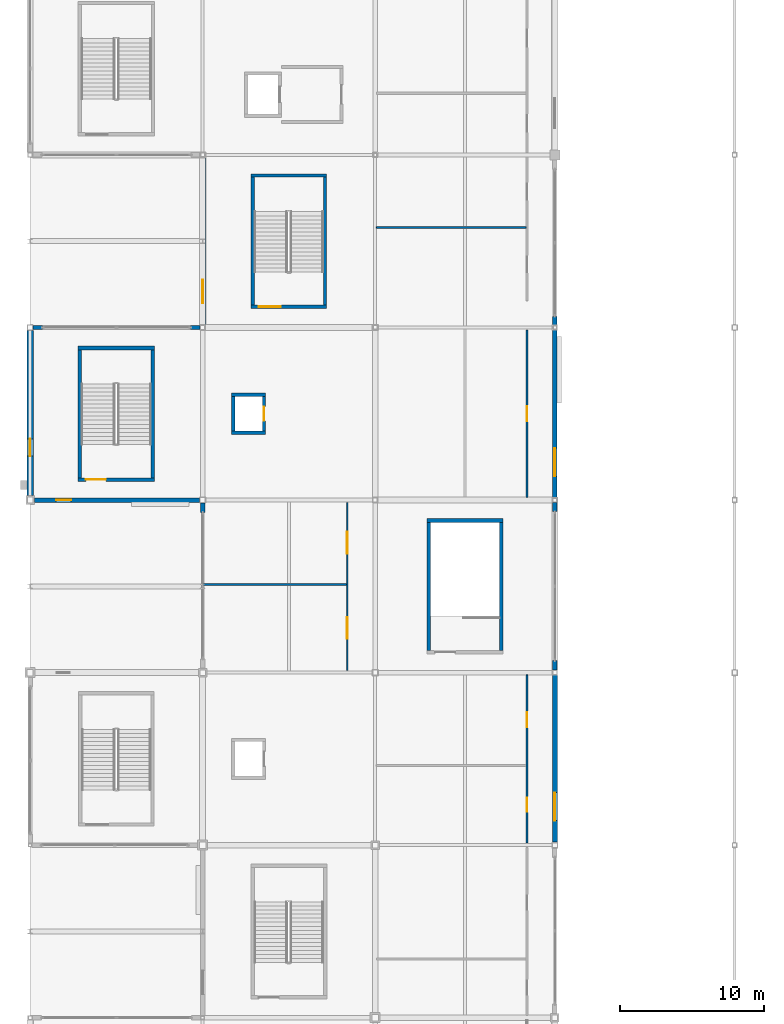
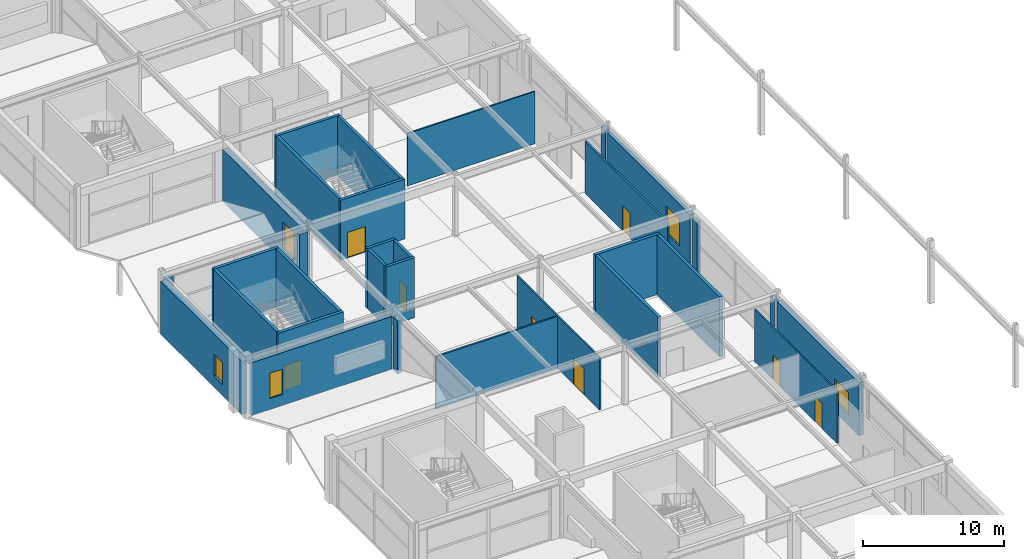
# One storey, part 74 of 105: 31 walls, 8 doors, 5 windows, 13 openings.
"""IFC4 building model written with IfcOpenShell, lengths in metres."""

from ifc_helpers import new_model, si_unit, direction, frame, frame_2d, origin, place, context, subcontext, project, spatial, rectangle, extrude, material, layer, layer_set, type_object, element, fill, save


model = new_model("IFC4")

# Units and contexts
model_context = context("Model", 3, precision=1e-05, world=origin(), true_north=direction((0.0, 1.0)))
body_context = subcontext(model_context, "Body", "Model", "MODEL_VIEW")
ifc_project = project(units=[si_unit("LENGTHUNIT", "METRE"), si_unit("AREAUNIT", "SQUARE_METRE"), si_unit("VOLUMEUNIT", "CUBIC_METRE"), si_unit("PLANEANGLEUNIT", "RADIAN"), si_unit("MASSUNIT", "GRAM", prefix="KILO")], contexts=[model_context])

# Site, building, storey
site_placement = place(None, origin())
site = spatial("IfcSite", under=ifc_project, at=site_placement, CompositionType="ELEMENT")
building_placement = place(site_placement, origin())
building = spatial("IfcBuilding", under=site, at=building_placement, Name="Kazenohara Klinker Stadium", CompositionType="ELEMENT")
storey_placement = place(building_placement, frame((0.0, 0.0, 20.39990234375)))
storey = spatial("IfcBuildingStorey", under=building, at=storey_placement, Name="L04", CompositionType="ELEMENT", Elevation=20.39990234375)

# Wall, opening, door
ifc_material_1 = material(Name="Concrete C40/50", Category="concrete")
ifc_layer_1 = layer(ifc_material_1, 0.22998046875)
ifc_layer_set_1 = layer_set([ifc_layer_1], Name="Concrete C40/50")
wall_type_1 = type_object("IfcWallType", Name="WAL-CORE-230", PredefinedType="SHEAR", material=ifc_layer_set_1)
wall_1_placement = place(storey_placement, frame((15.3701171875, 97.43505859375, 0.0), z_axis=(0.0, 0.0, 1.0), x_axis=(1.0, 0.0, 0.0)))
wall_1 = element("IfcWall", 1, at=wall_1_placement, inside=storey, type_object=wall_type_1, Name="Stairwell shear wall ST14 L04 South", PredefinedType="SHEAR", context=body_context, shape_type="SweptSolid", body=[
    extrude(rectangle(XDim=5.259765625, YDim=0.22998046875, at=frame_2d((2.6298828125, 0.0))), origin(), (0.0, 0.0, 1.0), 5.18017578125),
])
opening_1_placement = place(wall_1_placement, frame((0.550048828125, 0.0, 0.0)))
opening_1 = element("IfcOpeningElement", 2, at=opening_1_placement, cuts=wall_1, Name="Opening SD02", PredefinedType="OPENING", context=body_context, shape_type="SweptSolid", body=[
    extrude(rectangle(XDim=1.5, YDim=2.199951171875, at=frame_2d((0.75, 1.10009765625))), frame((0.0, 0.125, 0.0), z_axis=(0.0, -1.0, 0.0), x_axis=(1.0, 0.0, 0.0)), (0.0, 0.0, 1.0), 0.25),
])
ifc_material_2 = material(Name="Flush painted steel fire door leaf", Category="steel")
door_type_1 = type_object("IfcDoorType", Name="DR-STR-1500x2200", OperationType="NOTDEFINED", PredefinedType="DOOR", material=ifc_material_2)
door_1_placement = place(opening_1_placement, origin())
door_1 = element("IfcDoor", 3, at=door_1_placement, inside=storey, type_object=door_type_1, Name="Escape stairwell fire door ST14-L04", OperationType="SINGLE_SWING_LEFT", OverallHeight=2.199951171875, OverallWidth=1.5, PredefinedType="DOOR", context=body_context, shape_type="SweptSolid", body=[
    extrude(rectangle(XDim=1.5, YDim=2.199951171875, at=frame_2d((0.75, 1.10009765625))), frame((0.0, 0.02490234375, 0.0), z_axis=(0.0, -1.0, 0.0), x_axis=(1.0, 0.0, 0.0)), (0.0, 0.0, 1.0), 0.050048828125),
])
fill(opening_1, door_1)

# Walls
wall_2_placement = place(storey_placement, frame((15.3701171875, 106.56494140625, 0.0), z_axis=(0.0, 0.0, 1.0), x_axis=(1.0, 0.0, 0.0)))
element("IfcWall", 4, at=wall_2_placement, inside=storey, type_object=wall_type_1, Name="Stairwell shear wall ST14 L04 North", PredefinedType="SHEAR", context=body_context, shape_type="SweptSolid", body=[
    extrude(rectangle(XDim=5.259765625, YDim=0.22998046875, at=frame_2d((2.6298828125, 0.0))), origin(), (0.0, 0.0, 1.0), 5.18017578125),
])
for number, where, z_axis, x_axis, name in (
    (5, (15.485107421875, 97.550048828125, 0.0), (0.0, 0.0, 1.0), (0.0, 1.0, 0.0), "Stairwell shear wall ST14 L04 West"),
    (6, (20.514892578125, 97.550048828125, 0.0), (0.0, 0.0, 1.0), (0.0, 1.0, 0.0), "Stairwell shear wall ST14 L04 East"),
):
    element("IfcWall", number, at=place(storey_placement, frame(where, z_axis=z_axis, x_axis=x_axis)), inside=storey, type_object=wall_type_1, Name=name, PredefinedType="SHEAR", context=body_context, shape_type="SweptSolid", body=[
        extrude(rectangle(XDim=8.89990234375, YDim=0.22998046875, at=frame_2d((4.449951171875, 0.0))), origin(), (0.0, 0.0, 1.0), 5.18017578125),
    ])
for number, where, z_axis, x_axis, name in (
    (7, (14.02001953125, 88.68505859375, 0.0), (0.0, 0.0, 1.0), (1.0, 0.0, 0.0), "Elevator shaft wall LP02 L04 South"),
    (8, (14.02001953125, 91.31494140625, 0.0), (0.0, 0.0, 1.0), (1.0, 0.0, 0.0), "Elevator shaft wall LP02 L04 North"),
):
    element("IfcWall", number, at=place(storey_placement, frame(where, z_axis=z_axis, x_axis=x_axis)), inside=storey, type_object=wall_type_1, Name=name, PredefinedType="SHEAR", context=body_context, shape_type="SweptSolid", body=[
        extrude(rectangle(XDim=2.35986328125, YDim=0.22998046875, at=frame_2d((1.179931640625, 0.0))), origin(), (0.0, 0.0, 1.0), 5.18017578125),
    ])
wall_3_placement = place(storey_placement, frame((14.135009765625, 88.800048828125, 0.0), z_axis=(0.0, 0.0, 1.0), x_axis=(0.0, 1.0, 0.0)))
element("IfcWall", 9, at=wall_3_placement, inside=storey, type_object=wall_type_1, Name="Elevator shaft wall LP02 L04 West", PredefinedType="SHEAR", context=body_context, shape_type="SweptSolid", body=[
    extrude(rectangle(XDim=2.39990234375, YDim=0.22998046875, at=frame_2d((1.199951171875, 0.0))), origin(), (0.0, 0.0, 1.0), 5.18017578125),
])

# Wall, opening, door
wall_4_placement = place(storey_placement, frame((16.264892578125, 88.800048828125, 0.0), z_axis=(0.0, 0.0, 1.0), x_axis=(0.0, 1.0, 0.0)))
wall_4 = element("IfcWall", 10, at=wall_4_placement, inside=storey, type_object=wall_type_1, Name="Elevator shaft wall LP02 L04 East", PredefinedType="SHEAR", context=body_context, shape_type="SweptSolid", body=[
    extrude(rectangle(XDim=2.39990234375, YDim=0.22998046875, at=frame_2d((1.199951171875, 0.0))), origin(), (0.0, 0.0, 1.0), 5.18017578125),
])
opening_2_placement = place(wall_4_placement, frame((0.699951171875, 0.0, 0.0)))
opening_2 = element("IfcOpeningElement", 11, at=opening_2_placement, cuts=wall_4, Name="Opening LD02", PredefinedType="OPENING", context=body_context, shape_type="SweptSolid", body=[
    extrude(rectangle(XDim=1.0, YDim=2.14990234375, at=frame_2d((0.5, 1.074951171875))), frame((0.0, 0.125, 0.0), z_axis=(0.0, -1.0, 0.0), x_axis=(1.0, 0.0, 0.0)), (0.0, 0.0, 1.0), 0.25),
])
ifc_material_3 = material(Name="Stainless steel sliding landing door", Category="steel")
door_type_2 = type_object("IfcDoorType", Name="DR-LD02-1000x2150", OperationType="NOTDEFINED", PredefinedType="DOOR", material=ifc_material_3)
door_2_placement = place(opening_2_placement, origin())
door_2 = element("IfcDoor", 12, at=door_2_placement, inside=storey, type_object=door_type_2, Name="Elevator sliding landing door LP02-L04", OperationType="DOUBLE_DOOR_SLIDING", OverallHeight=2.14990234375, OverallWidth=1.0, PredefinedType="DOOR", context=body_context, shape_type="SweptSolid", body=[
    extrude(rectangle(XDim=1.0, YDim=2.14990234375, at=frame_2d((0.5, 1.074951171875))), frame((0.0, 0.02490234375, 0.0), z_axis=(0.0, -1.0, 0.0), x_axis=(1.0, 0.0, 0.0)), (0.0, 0.0, 1.0), 0.050048828125),
])
fill(opening_2, door_2)

ifc_layer_2 = layer(ifc_material_1, 0.25)
ifc_layer_set_2 = layer_set([ifc_layer_2], Name="Concrete C40/50")
wall_type_2 = type_object("IfcWallType", Name="WAL-CORE-250", PredefinedType="SHEAR", material=ifc_layer_set_2)
wall_5_placement = place(storey_placement, frame((3.330078125, 85.425048828125, 0.0), z_axis=(0.0, 0.0, 1.0), x_axis=(1.0, 0.0, 0.0)))
wall_5 = element("IfcWall", 13, at=wall_5_placement, inside=storey, type_object=wall_type_2, Name="Stairwell shear wall ST03 L04 South", PredefinedType="SHEAR", context=body_context, shape_type="SweptSolid", body=[
    extrude(rectangle(XDim=5.33984375, YDim=0.25, at=frame_2d((2.669921875, 0.0))), origin(), (0.0, 0.0, 1.0), 5.18017578125),
])
opening_3_placement = place(wall_5_placement, frame((0.550048828125, 0.0, 0.0)))
opening_3 = element("IfcOpeningElement", 14, at=opening_3_placement, cuts=wall_5, Name="Opening SD01", PredefinedType="OPENING", context=body_context, shape_type="SweptSolid", body=[
    extrude(rectangle(XDim=1.39990234375, YDim=2.14990234375, at=frame_2d((0.699951171875, 1.074951171875))), frame((0.0, 0.135009765625, 0.0), z_axis=(0.0, -1.0, 0.0), x_axis=(1.0, 0.0, 0.0)), (0.0, 0.0, 1.0), 0.27001953125),
])
door_type_3 = type_object("IfcDoorType", Name="DR-STR-1400x2150", OperationType="NOTDEFINED", PredefinedType="DOOR", material=ifc_material_2)
door_3_placement = place(opening_3_placement, origin())
door_3 = element("IfcDoor", 15, at=door_3_placement, inside=storey, type_object=door_type_3, Name="Escape stairwell fire door ST03-L04", OperationType="SINGLE_SWING_RIGHT", OverallHeight=2.14990234375, OverallWidth=1.39990234375, PredefinedType="DOOR", context=body_context, shape_type="SweptSolid", body=[
    extrude(rectangle(XDim=1.39990234375, YDim=2.14990234375, at=frame_2d((0.699951171875, 1.074951171875))), frame((0.0, 0.02490234375, 0.0), z_axis=(0.0, -1.0, 0.0), x_axis=(1.0, 0.0, 0.0)), (0.0, 0.0, 1.0), 0.050048828125),
])
fill(opening_3, door_3)

# Walls
wall_6_placement = place(storey_placement, frame((3.330078125, 94.574951171875, 0.0), z_axis=(0.0, 0.0, 1.0), x_axis=(1.0, 0.0, 0.0)))
element("IfcWall", 16, at=wall_6_placement, inside=storey, type_object=wall_type_2, Name="Stairwell shear wall ST03 L04 North", PredefinedType="SHEAR", context=body_context, shape_type="SweptSolid", body=[
    extrude(rectangle(XDim=5.33984375, YDim=0.25, at=frame_2d((2.669921875, 0.0))), origin(), (0.0, 0.0, 1.0), 5.18017578125),
])
for number, where, z_axis, x_axis, name in (
    (17, (3.455078125, 85.550048828125, 0.0), (0.0, 0.0, 1.0), (0.0, 1.0, 0.0), "Stairwell shear wall ST03 L04 West"),
    (18, (8.544921875, 85.550048828125, 0.0), (0.0, 0.0, 1.0), (0.0, 1.0, 0.0), "Stairwell shear wall ST03 L04 East"),
):
    element("IfcWall", number, at=place(storey_placement, frame(where, z_axis=z_axis, x_axis=x_axis)), inside=storey, type_object=wall_type_2, Name=name, PredefinedType="SHEAR", context=body_context, shape_type="SweptSolid", body=[
        extrude(rectangle(XDim=8.89990234375, YDim=0.25, at=frame_2d((4.449951171875, 0.0))), origin(), (0.0, 0.0, 1.0), 5.18017578125),
    ])
wall_7_placement = place(storey_placement, frame((27.610107421875, 82.574951171875, 0.0), z_axis=(0.0, 0.0, 1.0), x_axis=(1.0, 0.0, 0.0)))
element("IfcWall", 19, at=wall_7_placement, inside=storey, type_object=wall_type_2, Name="Stairwell shear wall ST17 L04 North", PredefinedType="SHEAR", context=body_context, shape_type="SweptSolid", body=[
    extrude(rectangle(XDim=5.27978515625, YDim=0.25, at=frame_2d((2.639892578125, 0.0))), origin(), (0.0, 0.0, 1.0), 5.18017578125),
])
for number, where, z_axis, x_axis, name in (
    (20, (27.735107421875, 73.550048828125, 0.0), (0.0, 0.0, 1.0), (0.0, 1.0, 0.0), "Stairwell shear wall ST17 L04 West"),
    (21, (32.764892578125, 73.550048828125, 0.0), (0.0, 0.0, 1.0), (0.0, 1.0, 0.0), "Stairwell shear wall ST17 L04 East"),
):
    element("IfcWall", number, at=place(storey_placement, frame(where, z_axis=z_axis, x_axis=x_axis)), inside=storey, type_object=wall_type_2, Name=name, PredefinedType="SHEAR", context=body_context, shape_type="SweptSolid", body=[
        extrude(rectangle(XDim=8.89990234375, YDim=0.25, at=frame_2d((4.449951171875, 0.0))), origin(), (0.0, 0.0, 1.0), 5.18017578125),
    ])

# Wall, opening, window
ifc_material_4 = material(Name="Clinker brick masonry", Category="masonry")
ifc_layer_3 = layer(ifc_material_4, 0.31005859375)
ifc_layer_set_3 = layer_set([ifc_layer_3], Name="Clinker brick masonry")
wall_type_3 = type_object("IfcWallType", Name="WAL-EXT-CB310", PredefinedType="SOLIDWALL", material=ifc_layer_set_3)
wall_8_placement = place(storey_placement, frame((0.303955078125, 84.0, 0.0), z_axis=(0.0, 0.0, 1.0), x_axis=(1.0, 0.0, 0.0)))
wall_8 = element("IfcWall", 22, at=wall_8_placement, inside=storey, type_object=wall_type_3, Name="Clinker brick cavity wall EW05 L04 X0-7", PredefinedType="SOLIDWALL", context=body_context, shape_type="SweptSolid", body=[
    extrude(rectangle(XDim=11.491943359375, YDim=0.31005859375, at=frame_2d((5.74609375, 0.0))), origin(), (0.0, 0.0, 1.0), 4.580078125),
])
opening_4_placement = place(wall_8_placement, frame((1.5, 0.0, 0.949951171875)))
opening_4 = element("IfcOpeningElement", 23, at=opening_4_placement, cuts=wall_8, Name="Opening W04", PredefinedType="OPENING", context=body_context, shape_type="SweptSolid", body=[
    extrude(rectangle(XDim=1.050048828125, YDim=2.199951171875, at=frame_2d((0.52490234375, 1.10009765625))), frame((0.0, 0.1650390625, 0.0), z_axis=(0.0, -1.0, 0.0), x_axis=(1.0, 0.0, 0.0)), (0.0, 0.0, 1.0), 0.330078125),
])
ifc_material_5 = material(Name="Dark bronze aluminium frame and triple glazing", Category="aluminium")
window_type_1 = type_object("IfcWindowType", Name="WIN-AS-04", PartitioningType="SINGLE_PANEL", PredefinedType="WINDOW", material=ifc_material_5)
window_1_placement = place(opening_4_placement, origin())
window_1 = element("IfcWindow", 24, at=window_1_placement, inside=storey, type_object=window_type_1, Name="Horizontal-mullion ladder window W04 L04 X0-7", OverallHeight=2.199951171875, OverallWidth=1.050048828125, PartitioningType="SINGLE_PANEL", PredefinedType="WINDOW", context=body_context, shape_type="SweptSolid", body=[
    extrude(rectangle(XDim=1.050048828125, YDim=2.199951171875, at=frame_2d((0.52490234375, 1.10009765625))), frame((0.0, 0.030029296875, 0.0), z_axis=(0.0, -1.0, 0.0), x_axis=(1.0, 0.0, 0.0)), (0.0, 0.0, 1.0), 0.06005859375),
])
fill(opening_4, window_1)

# Walls
wall_9_placement = place(storey_placement, frame((0.2041015625, 96.0, 0.0), z_axis=(0.0, 0.0, 1.0), x_axis=(1.0, 0.0, 0.0)))
element("IfcWall", 25, at=wall_9_placement, inside=storey, type_object=wall_type_3, Name="Clinker brick curtain-wall jamb pier L04 X0-8 A", PredefinedType="SOLIDWALL", context=body_context, shape_type="SweptSolid", body=[
    extrude(rectangle(XDim=0.64990234375, YDim=0.31005859375, at=frame_2d((0.324951171875, 0.0))), origin(), (0.0, 0.0, 1.0), 4.592041015625),
])
wall_10_placement = place(storey_placement, frame((11.1708984375, 96.0, 0.0), z_axis=(0.0, 0.0, 1.0), x_axis=(1.0, 0.0, 0.0)))
element("IfcWall", 26, at=wall_10_placement, inside=storey, type_object=wall_type_3, Name="Clinker brick curtain-wall jamb pier L04 X0-8 B", PredefinedType="SOLIDWALL", context=body_context, shape_type="SweptSolid", body=[
    extrude(rectangle(XDim=0.650146484375, YDim=0.31005859375, at=frame_2d((0.3251953125, 0.0))), origin(), (0.0, 0.0, 1.0), 4.592041015625),
])
wall_11_placement = place(storey_placement, frame((12.0, 83.14599609375, 0.0), z_axis=(0.0, 0.0, 1.0), x_axis=(0.0, 1.0, 0.0)))
element("IfcWall", 27, at=wall_11_placement, inside=storey, type_object=wall_type_3, Name="Clinker brick curtain-wall jamb pier L04 Y1-6 B", PredefinedType="SOLIDWALL", context=body_context, shape_type="SweptSolid", body=[
    extrude(rectangle(XDim=0.64990234375, YDim=0.31005859375, at=frame_2d((0.324951171875, 0.0))), origin(), (0.0, 0.0, 1.0), 4.580078125),
])
wall_12_placement = place(storey_placement, frame((36.5, 72.178955078125, 0.0), z_axis=(0.0, 0.0, 1.0), x_axis=(0.0, 1.0, 0.0)))
element("IfcWall", 28, at=wall_12_placement, inside=storey, type_object=wall_type_3, Name="Clinker brick curtain-wall jamb pier L04 Y3-6 A", PredefinedType="SOLIDWALL", context=body_context, shape_type="SweptSolid", body=[
    extrude(rectangle(XDim=0.650146484375, YDim=0.31005859375, at=frame_2d((0.3251953125, 0.0))), origin(), (0.0, 0.0, 1.0), 4.47998046875),
])
wall_13_placement = place(storey_placement, frame((36.5, 83.196044921875, 0.0), z_axis=(0.0, 0.0, 1.0), x_axis=(0.0, 1.0, 0.0)))
element("IfcWall", 29, at=wall_13_placement, inside=storey, type_object=wall_type_3, Name="Clinker brick curtain-wall jamb pier L04 Y3-6 B", PredefinedType="SOLIDWALL", context=body_context, shape_type="SweptSolid", body=[
    extrude(rectangle(XDim=0.64990234375, YDim=0.31005859375, at=frame_2d((0.324951171875, 0.0))), origin(), (0.0, 0.0, 1.0), 4.47998046875),
])

# Wall, opening, window
wall_14_placement = place(storey_placement, frame((36.5, 84.154052734375, 0.0), z_axis=(0.0, 0.0, 1.0), x_axis=(0.0, 1.0, 0.0)))
wall_14 = element("IfcWall", 30, at=wall_14_placement, inside=storey, type_object=wall_type_3, Name="Clinker brick cavity wall EW05 L04 Y3-7", PredefinedType="SOLIDWALL", context=body_context, shape_type="SweptSolid", body=[
    extrude(rectangle(XDim=11.717041015625, YDim=0.31005859375, at=frame_2d((5.8583984375, 0.0))), origin(), (0.0, 0.0, 1.0), 4.580078125),
])
opening_5_placement = place(wall_14_placement, frame((1.5, 0.0, 0.949951171875)))
opening_5 = element("IfcOpeningElement", 31, at=opening_5_placement, cuts=wall_14, Name="Opening W17", PredefinedType="OPENING", context=body_context, shape_type="SweptSolid", body=[
    extrude(rectangle(XDim=1.949951171875, YDim=2.35009765625, at=frame_2d((0.97509765625, 1.175048828125))), frame((0.0, 0.1650390625, 0.0), z_axis=(0.0, -1.0, 0.0), x_axis=(1.0, 0.0, 0.0)), (0.0, 0.0, 1.0), 0.330078125),
])
window_type_2 = type_object("IfcWindowType", Name="WIN-AS-17", PartitioningType="SINGLE_PANEL", PredefinedType="WINDOW", material=ifc_material_5)
window_2_placement = place(opening_5_placement, origin())
window_2 = element("IfcWindow", 32, at=window_2_placement, inside=storey, type_object=window_type_2, Name="Horizontal-mullion ladder window W17 L04 Y3-7", OverallHeight=2.35009765625, OverallWidth=1.949951171875, PartitioningType="SINGLE_PANEL", PredefinedType="WINDOW", context=body_context, shape_type="SweptSolid", body=[
    extrude(rectangle(XDim=1.949951171875, YDim=2.35009765625, at=frame_2d((0.97509765625, 1.175048828125))), frame((0.0, 0.030029296875, 0.0), z_axis=(0.0, -1.0, 0.0), x_axis=(1.0, 0.0, 0.0)), (0.0, 0.0, 1.0), 0.06005859375),
])
fill(opening_5, window_2)

# Wall
wall_15_placement = place(storey_placement, frame((36.5, 96.12890625, 0.0), z_axis=(0.0, 0.0, 1.0), x_axis=(0.0, 1.0, 0.0)))
element("IfcWall", 33, at=wall_15_placement, inside=storey, type_object=wall_type_3, Name="Clinker brick curtain-wall jamb pier L04 Y3-8 A", PredefinedType="SOLIDWALL", context=body_context, shape_type="SweptSolid", body=[
    extrude(rectangle(XDim=0.650146484375, YDim=0.31005859375, at=frame_2d((0.3251953125, 0.0))), origin(), (0.0, 0.0, 1.0), 4.592041015625),
])

# Wall, opening, window
ifc_layer_4 = layer(ifc_material_4, 0.3701171875)
ifc_layer_set_4 = layer_set([ifc_layer_4], Name="Clinker brick masonry")
wall_type_4 = type_object("IfcWallType", Name="WAL-EXT-CB370", PredefinedType="SOLIDWALL", material=ifc_layer_set_4)
wall_16_placement = place(storey_placement, frame((36.5, 60.2041015625, 0.0), z_axis=(0.0, 0.0, 1.0), x_axis=(0.0, 1.0, 0.0)))
wall_16 = element("IfcWall", 34, at=wall_16_placement, inside=storey, type_object=wall_type_4, Name="Clinker brick cavity wall EW03 L04 Y3-5", PredefinedType="SOLIDWALL", context=body_context, shape_type="SweptSolid", body=[
    extrude(rectangle(XDim=11.616943359375, YDim=0.3701171875, at=frame_2d((5.80859375, 0.0))), origin(), (0.0, 0.0, 1.0), 4.592041015625),
])
opening_6_placement = place(wall_16_placement, frame((1.5, 0.0, 0.949951171875)))
opening_6 = element("IfcOpeningElement", 35, at=opening_6_placement, cuts=wall_16, Name="Opening W16", PredefinedType="OPENING", context=body_context, shape_type="SweptSolid", body=[
    extrude(rectangle(XDim=1.949951171875, YDim=1.89990234375, at=frame_2d((0.97509765625, 0.949951171875))), frame((0.0, 0.195068359375, 0.0), z_axis=(0.0, -1.0, 0.0), x_axis=(1.0, 0.0, 0.0)), (0.0, 0.0, 1.0), 0.39013671875),
])
window_type_3 = type_object("IfcWindowType", Name="WIN-AS-16", PartitioningType="SINGLE_PANEL", PredefinedType="WINDOW", material=ifc_material_5)
window_3_placement = place(opening_6_placement, origin())
window_3 = element("IfcWindow", 36, at=window_3_placement, inside=storey, type_object=window_type_3, Name="Horizontal-mullion ladder window W16 L04 Y3-5", OverallHeight=1.89990234375, OverallWidth=1.949951171875, PartitioningType="SINGLE_PANEL", PredefinedType="WINDOW", context=body_context, shape_type="SweptSolid", body=[
    extrude(rectangle(XDim=1.949951171875, YDim=1.89990234375, at=frame_2d((0.97509765625, 0.949951171875))), frame((0.0, 0.030029296875, 0.0), z_axis=(0.0, -1.0, 0.0), x_axis=(1.0, 0.0, 0.0)), (0.0, 0.0, 1.0), 0.06005859375),
])
fill(opening_6, window_3)

ifc_layer_5 = layer(ifc_material_4, 0.449951171875)
ifc_layer_set_5 = layer_set([ifc_layer_5], Name="Clinker brick masonry")
wall_type_5 = type_object("IfcWallType", Name="WAL-EXT-CB450", PredefinedType="SOLIDWALL", material=ifc_layer_set_5)
wall_17_placement = place(storey_placement, frame((0.0, 84.303955078125, 0.0), z_axis=(0.0, 0.0, 1.0), x_axis=(0.0, 1.0, 0.0)))
wall_17 = element("IfcWall", 37, at=wall_17_placement, inside=storey, type_object=wall_type_5, Name="Clinker brick cavity wall EW01 L04 Y0-7", PredefinedType="SOLIDWALL", context=body_context, shape_type="SweptSolid", body=[
    extrude(rectangle(XDim=11.491943359375, YDim=0.449951171875, at=frame_2d((5.74609375, 0.0))), origin(), (0.0, 0.0, 1.0), 4.580078125),
])
opening_7_placement = place(wall_17_placement, frame((2.75, 0.0, 0.949951171875)))
opening_7 = element("IfcOpeningElement", 38, at=opening_7_placement, cuts=wall_17, Name="Opening W05", PredefinedType="OPENING", context=body_context, shape_type="SweptSolid", body=[
    extrude(rectangle(XDim=1.199951171875, YDim=1.89990234375, at=frame_2d((0.60009765625, 0.949951171875))), frame((0.0, 0.23486328125, 0.0), z_axis=(0.0, -1.0, 0.0), x_axis=(1.0, 0.0, 0.0)), (0.0, 0.0, 1.0), 0.469970703125),
])
window_type_4 = type_object("IfcWindowType", Name="WIN-AS-05", PartitioningType="SINGLE_PANEL", PredefinedType="WINDOW", material=ifc_material_5)
window_4_placement = place(opening_7_placement, origin())
window_4 = element("IfcWindow", 39, at=window_4_placement, inside=storey, type_object=window_type_4, Name="Horizontal-mullion ladder window W05 L04 Y0-7", OverallHeight=1.89990234375, OverallWidth=1.199951171875, PartitioningType="SINGLE_PANEL", PredefinedType="WINDOW", context=body_context, shape_type="SweptSolid", body=[
    extrude(rectangle(XDim=1.199951171875, YDim=1.89990234375, at=frame_2d((0.60009765625, 0.949951171875))), frame((0.0, 0.030029296875, 0.0), z_axis=(0.0, -1.0, 0.0), x_axis=(1.0, 0.0, 0.0)), (0.0, 0.0, 1.0), 0.06005859375),
])
fill(opening_7, window_4)

wall_18_placement = place(storey_placement, frame((12.0, 96.178955078125, 0.0), z_axis=(0.0, 0.0, 1.0), x_axis=(0.0, 1.0, 0.0)))
wall_18 = element("IfcWall", 40, at=wall_18_placement, inside=storey, type_object=wall_type_5, Name="Clinker brick cavity wall EW01 L04 Y1-8", PredefinedType="SOLIDWALL", context=body_context, shape_type="SweptSolid", body=[
    extrude(rectangle(XDim=11.6669921875, YDim=0.449951171875, at=frame_2d((5.83349609375, 0.0))), origin(), (0.0, 0.0, 1.0), 4.47998046875),
])
opening_8_placement = place(wall_18_placement, frame((1.5, 0.0, 0.949951171875)))
opening_8 = element("IfcOpeningElement", 41, at=opening_8_placement, cuts=wall_18, Name="Opening W12", PredefinedType="OPENING", context=body_context, shape_type="SweptSolid", body=[
    extrude(rectangle(XDim=1.64990234375, YDim=2.449951171875, at=frame_2d((0.824951171875, 1.22509765625))), frame((0.0, 0.23486328125, 0.0), z_axis=(0.0, -1.0, 0.0), x_axis=(1.0, 0.0, 0.0)), (0.0, 0.0, 1.0), 0.469970703125),
])
window_type_5 = type_object("IfcWindowType", Name="WIN-AS-12", PartitioningType="SINGLE_PANEL", PredefinedType="WINDOW", material=ifc_material_5)
window_5_placement = place(opening_8_placement, origin())
window_5 = element("IfcWindow", 42, at=window_5_placement, inside=storey, type_object=window_type_5, Name="Horizontal-mullion ladder window W12 L04 Y1-8", OverallHeight=2.449951171875, OverallWidth=1.64990234375, PartitioningType="SINGLE_PANEL", PredefinedType="WINDOW", context=body_context, shape_type="SweptSolid", body=[
    extrude(rectangle(XDim=1.64990234375, YDim=2.449951171875, at=frame_2d((0.824951171875, 1.22509765625))), frame((0.0, 0.030029296875, 0.0), z_axis=(0.0, -1.0, 0.0), x_axis=(1.0, 0.0, 0.0)), (0.0, 0.0, 1.0), 0.06005859375),
])
fill(opening_8, window_5)

# Wall, openings, doors
ifc_material_6 = material(Name="Fire-rated gypsum board on acoustic studs", Category="gypsum")
ifc_layer_6 = layer(ifc_material_6, 0.110107421875)
ifc_layer_set_6 = layer_set([ifc_layer_6], Name="Fire-rated gypsum board on acoustic studs")
wall_type_6 = type_object("IfcWallType", Name="WAL-INT-P110", PredefinedType="PARTITIONING", material=ifc_layer_set_6)
wall_19_placement = place(storey_placement, frame((34.56005859375, 60.159912109375, 0.0), z_axis=(0.0, 0.0, 1.0), x_axis=(0.0, 1.0, 0.0)))
wall_19 = element("IfcWall", 43, at=wall_19_placement, inside=storey, type_object=wall_type_6, Name="Interior partition wall PT01 SPC-L04-02-05-1-1", PredefinedType="PARTITIONING", context=body_context, shape_type="SweptSolid", body=[
    extrude(rectangle(XDim=11.68017578125, YDim=0.110107421875, at=frame_2d((5.840087890625, 0.0))), origin(), (0.0, 0.0, 1.0), 4.52001953125),
])
opening_9_placement = place(wall_19_placement, frame((2.146484375, 0.0, 0.0)))
opening_9 = element("IfcOpeningElement", 44, at=opening_9_placement, cuts=wall_19, Name="Opening ID05", PredefinedType="OPENING", context=body_context, shape_type="SweptSolid", body=[
    extrude(rectangle(XDim=1.0, YDim=2.139892578125, at=frame_2d((0.5, 1.06982421875))), frame((0.0, 0.06494140625, 0.0), z_axis=(0.0, -1.0, 0.0), x_axis=(1.0, 0.0, 0.0)), (0.0, 0.0, 1.0), 0.130126953125),
])
opening_10_placement = place(wall_19_placement, frame((8.051513671875, 0.0, 0.0)))
opening_10 = element("IfcOpeningElement", 45, at=opening_10_placement, cuts=wall_19, Name="Opening ID06", PredefinedType="OPENING", context=body_context, shape_type="SweptSolid", body=[
    extrude(rectangle(XDim=1.030029296875, YDim=2.1201171875, at=frame_2d((0.51513671875, 1.06005859375))), frame((0.0, 0.06494140625, 0.0), z_axis=(0.0, -1.0, 0.0), x_axis=(1.0, 0.0, 0.0)), (0.0, 0.0, 1.0), 0.130126953125),
])
ifc_material_7 = material(Name="Solid-core Hokkaido oak fire door", Category="wood")
door_type_4 = type_object("IfcDoorType", Name="DR-INT-05", OperationType="NOTDEFINED", PredefinedType="DOOR", material=ifc_material_7)
door_4_placement = place(opening_9_placement, origin())
door_4 = element("IfcDoor", 46, at=door_4_placement, inside=storey, type_object=door_type_4, Name="Interior door ID05 Presidential Reception Hospitality Salon L04-0205A", OperationType="SINGLE_SWING_RIGHT", OverallHeight=2.139892578125, OverallWidth=1.0, PredefinedType="DOOR", context=body_context, shape_type="SweptSolid", body=[
    extrude(rectangle(XDim=1.0, YDim=2.139892578125, at=frame_2d((0.5, 1.06982421875))), frame((0.0, 0.02490234375, 0.0), z_axis=(0.0, -1.0, 0.0), x_axis=(1.0, 0.0, 0.0)), (0.0, 0.0, 1.0), 0.050048828125),
])
fill(opening_9, door_4)
door_type_5 = type_object("IfcDoorType", Name="DR-INT-06", OperationType="NOTDEFINED", PredefinedType="DOOR", material=ifc_material_7)
door_5_placement = place(opening_10_placement, origin())
door_5 = element("IfcDoor", 47, at=door_5_placement, inside=storey, type_object=door_type_5, Name="Interior door ID06 Championship Trophy Exhibition Gallery L04-0205B", OperationType="SINGLE_SWING_LEFT", OverallHeight=2.1201171875, OverallWidth=1.030029296875, PredefinedType="DOOR", context=body_context, shape_type="SweptSolid", body=[
    extrude(rectangle(XDim=1.030029296875, YDim=2.1201171875, at=frame_2d((0.51513671875, 1.06005859375))), frame((0.0, 0.02490234375, 0.0), z_axis=(0.0, -1.0, 0.0), x_axis=(1.0, 0.0, 0.0)), (0.0, 0.0, 1.0), 0.050048828125),
])
fill(opening_10, door_5)

ifc_layer_7 = layer(ifc_material_6, 0.1201171875)
ifc_layer_set_7 = layer_set([ifc_layer_7], Name="Fire-rated gypsum board on acoustic studs")
wall_type_7 = type_object("IfcWallType", Name="WAL-INT-P120", PredefinedType="PARTITIONING", material=ifc_layer_set_7)
wall_20_placement = place(storey_placement, frame((22.06005859375, 72.159912109375, 0.0), z_axis=(0.0, 0.0, 1.0), x_axis=(0.0, 1.0, 0.0)))
wall_20 = element("IfcWall", 48, at=wall_20_placement, inside=storey, type_object=wall_type_7, Name="Interior partition wall PT02 SPC-L04-01-06-1-1", PredefinedType="PARTITIONING", context=body_context, shape_type="SweptSolid", body=[
    extrude(rectangle(XDim=11.68017578125, YDim=0.1201171875, at=frame_2d((5.840087890625, 0.0))), origin(), (0.0, 0.0, 1.0), 4.52001953125),
])
opening_11_placement = place(wall_20_placement, frame((2.198486328125, 0.0, 0.0)))
opening_11 = element("IfcOpeningElement", 49, at=opening_11_placement, cuts=wall_20, Name="Opening ID20", PredefinedType="OPENING", context=body_context, shape_type="SweptSolid", body=[
    extrude(rectangle(XDim=1.47998046875, YDim=2.239990234375, at=frame_2d((0.739990234375, 1.1201171875))), frame((0.0, 0.070068359375, 0.0), z_axis=(0.0, -1.0, 0.0), x_axis=(1.0, 0.0, 0.0)), (0.0, 0.0, 1.0), 0.14013671875),
])
opening_12_placement = place(wall_20_placement, frame((8.098388671875, 0.0, 0.0)))
opening_12 = element("IfcOpeningElement", 50, at=opening_12_placement, cuts=wall_20, Name="Opening ID21", PredefinedType="OPENING", context=body_context, shape_type="SweptSolid", body=[
    extrude(rectangle(XDim=1.52001953125, YDim=2.280029296875, at=frame_2d((0.760009765625, 1.14013671875))), frame((0.0, 0.070068359375, 0.0), z_axis=(0.0, -1.0, 0.0), x_axis=(1.0, 0.0, 0.0)), (0.0, 0.0, 1.0), 0.14013671875),
])
ifc_material_8 = material(Name="Painted steel plant fire door", Category="steel")
door_type_6 = type_object("IfcDoorType", Name="DR-INT-20", OperationType="NOTDEFINED", PredefinedType="DOOR", material=ifc_material_8)
door_6_placement = place(opening_11_placement, origin())
door_6 = element("IfcDoor", 51, at=door_6_placement, inside=storey, type_object=door_type_6, Name="Interior door ID20 Championship Trophy Exhibition Gallery L04-0106A", OperationType="SINGLE_SWING_LEFT", OverallHeight=2.239990234375, OverallWidth=1.47998046875, PredefinedType="DOOR", context=body_context, shape_type="SweptSolid", body=[
    extrude(rectangle(XDim=1.47998046875, YDim=2.239990234375, at=frame_2d((0.739990234375, 1.1201171875))), frame((0.0, 0.02490234375, 0.0), z_axis=(0.0, -1.0, 0.0), x_axis=(1.0, 0.0, 0.0)), (0.0, 0.0, 1.0), 0.050048828125),
])
fill(opening_11, door_6)
door_type_7 = type_object("IfcDoorType", Name="DR-INT-21", OperationType="NOTDEFINED", PredefinedType="DOOR", material=ifc_material_8)
door_7_placement = place(opening_12_placement, origin())
door_7 = element("IfcDoor", 52, at=door_7_placement, inside=storey, type_object=door_type_7, Name="Interior door ID21 Terrace Garden Sky Banquet Hall L04-0106B", OperationType="SINGLE_SWING_RIGHT", OverallHeight=2.280029296875, OverallWidth=1.52001953125, PredefinedType="DOOR", context=body_context, shape_type="SweptSolid", body=[
    extrude(rectangle(XDim=1.52001953125, YDim=2.280029296875, at=frame_2d((0.760009765625, 1.14013671875))), frame((0.0, 0.02490234375, 0.0), z_axis=(0.0, -1.0, 0.0), x_axis=(1.0, 0.0, 0.0)), (0.0, 0.0, 1.0), 0.050048828125),
])
fill(opening_12, door_7)

# Walls
wall_21_placement = place(storey_placement, frame((24.080078125, 102.95458984375, 0.0), z_axis=(0.0, 0.0, 1.0), x_axis=(1.0, 0.0, 0.0)))
element("IfcWall", 53, at=wall_21_placement, inside=storey, type_object=wall_type_7, Name="Interior partition wall PT02 SPC-L04-02-08-1-2", PredefinedType="PARTITIONING", context=body_context, shape_type="SweptSolid", body=[
    extrude(rectangle(XDim=10.419921875, YDim=0.1201171875, at=frame_2d((5.2099609375, 0.0))), origin(), (0.0, 0.0, 1.0), 4.52001953125),
])
ifc_layer_8 = layer(ifc_material_6, 0.139892578125)
ifc_layer_set_8 = layer_set([ifc_layer_8], Name="Fire-rated gypsum board on acoustic studs")
wall_type_8 = type_object("IfcWallType", Name="WAL-INT-P140", PredefinedType="PARTITIONING", material=ifc_layer_set_8)
wall_22_placement = place(storey_placement, frame((12.02392578125, 78.11669921875, 0.0), z_axis=(0.0, 0.0, 1.0), x_axis=(1.0, 0.0, 0.0)))
element("IfcWall", 54, at=wall_22_placement, inside=storey, type_object=wall_type_8, Name="Interior partition wall PT03 SPC-L04-01-06-1-2", PredefinedType="PARTITIONING", context=body_context, shape_type="SweptSolid", body=[
    extrude(rectangle(XDim=9.97119140625, YDim=0.139892578125, at=frame_2d((4.985595703125, 0.0))), origin(), (0.0, 0.0, 1.0), 4.52001953125),
])

# Wall, opening, door
ifc_layer_9 = layer(ifc_material_6, 0.14990234375)
ifc_layer_set_9 = layer_set([ifc_layer_9], Name="Fire-rated gypsum board on acoustic studs")
wall_type_9 = type_object("IfcWallType", Name="WAL-INT-P150", PredefinedType="PARTITIONING", material=ifc_layer_set_9)
wall_23_placement = place(storey_placement, frame((34.56005859375, 84.159912109375, 0.0), z_axis=(0.0, 0.0, 1.0), x_axis=(0.0, 1.0, 0.0)))
wall_23 = element("IfcWall", 55, at=wall_23_placement, inside=storey, type_object=wall_type_9, Name="Interior partition wall PT04 SPC-L04-02-07-1-1", PredefinedType="PARTITIONING", context=body_context, shape_type="SweptSolid", body=[
    extrude(rectangle(XDim=11.68017578125, YDim=0.14990234375, at=frame_2d((5.840087890625, 0.0))), origin(), (0.0, 0.0, 1.0), 4.52001953125),
])
opening_13_placement = place(wall_23_placement, frame((5.31005859375, 0.0, 0.0)))
opening_13 = element("IfcOpeningElement", 56, at=opening_13_placement, cuts=wall_23, Name="Opening ID07", PredefinedType="OPENING", context=body_context, shape_type="SweptSolid", body=[
    extrude(rectangle(XDim=1.06005859375, YDim=2.14990234375, at=frame_2d((0.530029296875, 1.074951171875))), frame((0.0, 0.0849609375, 0.0), z_axis=(0.0, -1.0, 0.0), x_axis=(1.0, 0.0, 0.0)), (0.0, 0.0, 1.0), 0.169921875),
])
door_type_8 = type_object("IfcDoorType", Name="DR-INT-07", OperationType="NOTDEFINED", PredefinedType="DOOR", material=ifc_material_7)
door_8_placement = place(opening_13_placement, origin())
door_8 = element("IfcDoor", 57, at=door_8_placement, inside=storey, type_object=door_type_8, Name="Interior door ID07 Roof Garden Culinary Catering Kitchen L04-0207A", OperationType="SINGLE_SWING_RIGHT", OverallHeight=2.14990234375, OverallWidth=1.06005859375, PredefinedType="DOOR", context=body_context, shape_type="SweptSolid", body=[
    extrude(rectangle(XDim=1.06005859375, YDim=2.14990234375, at=frame_2d((0.530029296875, 1.074951171875))), frame((0.0, 0.02490234375, 0.0), z_axis=(0.0, -1.0, 0.0), x_axis=(1.0, 0.0, 0.0)), (0.0, 0.0, 1.0), 0.050048828125),
])
fill(opening_13, door_8)

save(model, "model.ifc")
